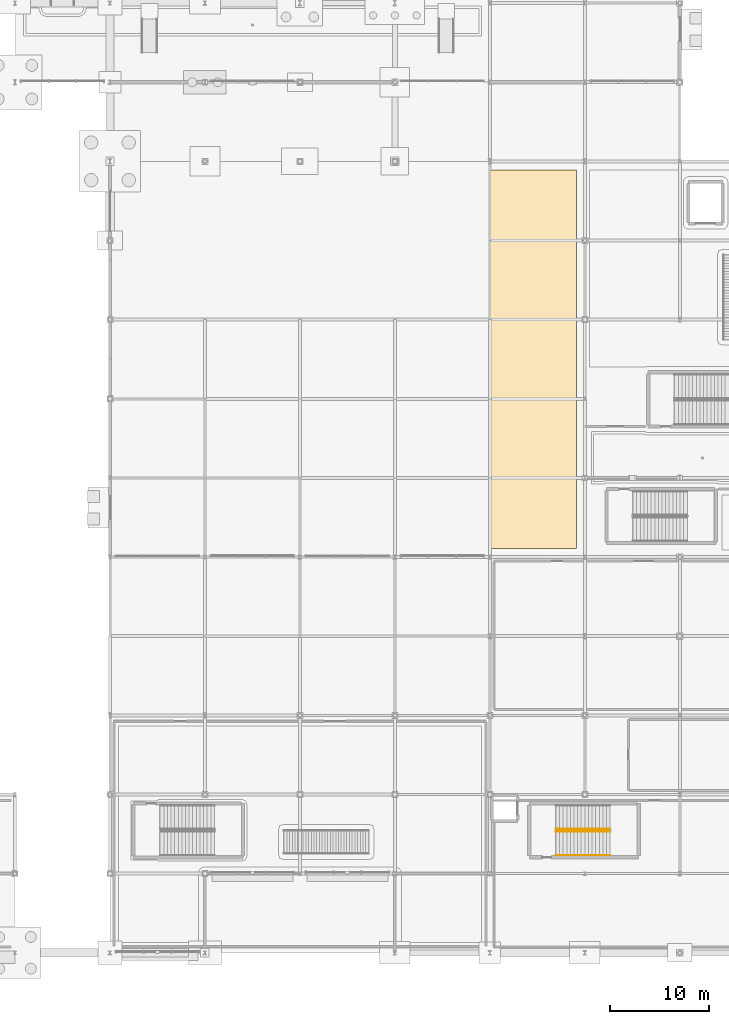
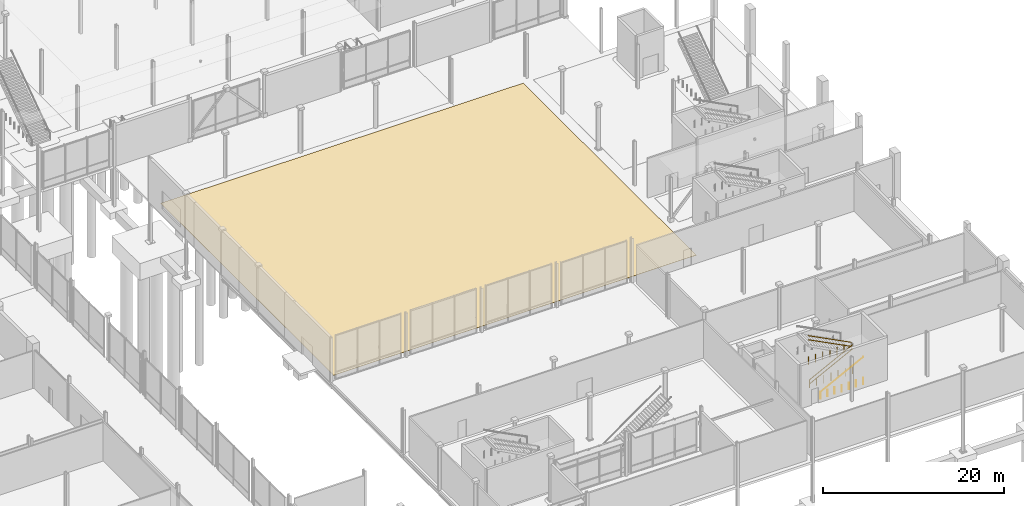
# One storey, part 116 of 124: 3 railings, 1 covering.
"""IFC4 building model written with IfcOpenShell, lengths in metres."""

from ifc_helpers import new_model, si_unit, direction, frame, origin, origin_2d, place, context, subcontext, project, spatial, polyline, circle, outline, extrude, material, layer, layer_set, type_object, element, save


model = new_model("IFC4")

# Units and contexts
model_context = context("Model", 3, precision=1e-05, world=origin(), true_north=direction((0.0, 1.0)))
body_context = subcontext(model_context, "Body", "Model", "MODEL_VIEW")
ifc_project = project(units=[si_unit("LENGTHUNIT", "METRE"), si_unit("AREAUNIT", "SQUARE_METRE"), si_unit("VOLUMEUNIT", "CUBIC_METRE"), si_unit("PLANEANGLEUNIT", "RADIAN"), si_unit("MASSUNIT", "GRAM", prefix="KILO")], contexts=[model_context])

# Site, building, storey
site_placement = place(None, origin())
site = spatial("IfcSite", under=ifc_project, at=site_placement, CompositionType="ELEMENT")
building_placement = place(site_placement, origin())
building = spatial("IfcBuilding", under=site, at=building_placement, Name="Danafjord Basin Convention Centre", CompositionType="ELEMENT")
storey_placement = place(building_placement, origin())
storey = spatial("IfcBuildingStorey", under=building, at=storey_placement, Name="L00", CompositionType="ELEMENT", Elevation=0.0)

# Covering
ifc_material_1 = material(Name="Engineered Nordic white oak parquet")
ifc_layer = layer(ifc_material_1, 0.02490234375)
ifc_layer_set = layer_set([ifc_layer], Name="Engineered Nordic white oak parquet")
covering_type = type_object("IfcCoveringType", Name="COV-FLR-OAK01", PredefinedType="FLOORING", material=ifc_layer_set)
covering_placement = place(storey_placement, origin())
element("IfcCovering", 1, at=covering_placement, inside=storey, type_object=covering_type, Name="Danafjord Grand Banquet Ballroom finish flooring", PredefinedType="FLOORING", context=body_context, shape_type="SweptSolid", body=[
    extrude(outline(polyline([(191.14990234375, 79.14990234375), (191.14990234375, 40.85009765625), (144.85009765625, 40.85009765625), (144.85009765625, 79.14990234375), (191.14990234375, 79.14990234375)])), origin(), (0.0, 0.0, 1.0), 0.02490234375),
])

# Railings
ifc_material_2 = material(Name="Galvanised steel S355", Category="steel")
railing_type_1 = type_object("IfcRailingType", Name="RL-GD-WELL", PredefinedType="BALUSTRADE", material=ifc_material_2)
railing_1_placement = place(storey_placement, frame((189.080078125, 12.260009765625, 0.1875)))
element("IfcRailing", 2, at=railing_1_placement, inside=storey, type_object=railing_type_1, Name="L00 ST-15 stair guard 1", PredefinedType="BALUSTRADE", context=body_context, shape_type="SweptSolid", body=[
    extrude(circle(Radius=0.02392578125, at=origin_2d()), frame((0.0, 0.0, 1.076171875), z_axis=(0.889495128042, 0.0, 0.456944654405), x_axis=(0.0, 1.0, 0.0)), (0.0, 0.0, 1.0), 6.155029296875),
    extrude(circle(Radius=0.02392578125, at=origin_2d()), frame((0.0, 0.0, 0.52587890625), z_axis=(0.889495128042, 0.0, 0.456944654405), x_axis=(0.0, 1.0, 0.0)), (0.0, 0.0, 1.0), 6.155029296875),
    extrude(circle(Radius=0.02099609375, at=origin_2d()), origin(), (0.0, 0.0, 1.0), 1.050048828125),
    extrude(circle(Radius=0.02099609375, at=origin_2d()), frame((0.91259765625, 0.0, 0.0)), (0.0, 0.0, 1.0), 1.050048828125),
    extrude(circle(Radius=0.02099609375, at=origin_2d()), frame((1.824951171875, 0.0, 0.0)), (0.0, 0.0, 1.0), 1.050048828125),
    extrude(circle(Radius=0.02099609375, at=origin_2d()), frame((2.7373046875, 0.0, 0.0)), (0.0, 0.0, 1.0), 1.050048828125),
    extrude(circle(Radius=0.02099609375, at=origin_2d()), frame((3.64990234375, 0.0, 0.0)), (0.0, 0.0, 1.0), 1.050048828125),
    extrude(circle(Radius=0.02099609375, at=origin_2d()), frame((4.5625, 0.0, 0.0)), (0.0, 0.0, 1.0), 1.050048828125),
    extrude(circle(Radius=0.02099609375, at=origin_2d()), frame((5.474853515625, 0.0, 0.0)), (0.0, 0.0, 1.0), 1.050048828125),
])
railing_2_placement = place(storey_placement, frame((194.554931640625, 12.5, 3.1875)))
element("IfcRailing", 3, at=railing_2_placement, inside=storey, type_object=railing_type_1, Name="L00 ST-15 stair guard 3", PredefinedType="BALUSTRADE", context=body_context, shape_type="SweptSolid", body=[
    extrude(circle(Radius=0.02392578125, at=origin_2d()), frame((0.0, 0.0, 1.076171875), z_axis=(-0.889495128042, 0.0, 0.456944654405), x_axis=(0.0, -1.0, 0.0)), (0.0, 0.0, 1.0), 6.155029296875),
    extrude(circle(Radius=0.02392578125, at=origin_2d()), frame((0.0, 0.0, 0.52587890625), z_axis=(-0.889495128042, 0.0, 0.456944654405), x_axis=(0.0, -1.0, 0.0)), (0.0, 0.0, 1.0), 6.155029296875),
    extrude(circle(Radius=0.02099609375, at=origin_2d()), origin(), (0.0, 0.0, 1.0), 1.050048828125),
    extrude(circle(Radius=0.02099609375, at=origin_2d()), frame((-0.91259765625, 0.0, 0.0)), (0.0, 0.0, 1.0), 1.050048828125),
    extrude(circle(Radius=0.02099609375, at=origin_2d()), frame((-1.824951171875, 0.0, 0.0)), (0.0, 0.0, 1.0), 1.050048828125),
    extrude(circle(Radius=0.02099609375, at=origin_2d()), frame((-2.7373046875, 0.0, 0.0)), (0.0, 0.0, 1.0), 1.050048828125),
    extrude(circle(Radius=0.02099609375, at=origin_2d()), frame((-3.64990234375, 0.0, 0.0)), (0.0, 0.0, 1.0), 1.050048828125),
    extrude(circle(Radius=0.02099609375, at=origin_2d()), frame((-4.5625, 0.0, 0.0)), (0.0, 0.0, 1.0), 1.050048828125),
    extrude(circle(Radius=0.02099609375, at=origin_2d()), frame((-5.474853515625, 0.0, 0.0)), (0.0, 0.0, 1.0), 1.050048828125),
])
ifc_material_3 = material(Name="Brushed stainless steel EN 1.4404", Category="steel")
railing_type_2 = type_object("IfcRailingType", Name="RL-HR-STAIR", PredefinedType="HANDRAIL", material=ifc_material_3)
railing_3_placement = place(storey_placement, frame((189.080078125, 9.860107421875, 0.1875)))
element("IfcRailing", 4, at=railing_3_placement, inside=storey, type_object=railing_type_2, Name="L00 ST-15 stair handrail 1", PredefinedType="HANDRAIL", context=body_context, shape_type="SweptSolid", body=[
    extrude(circle(Radius=0.02392578125, at=origin_2d()), frame((0.0, 0.0, 0.8759765625), z_axis=(0.889495128042, 0.0, 0.456944654405), x_axis=(0.0, 1.0, 0.0)), (0.0, 0.0, 1.0), 6.155029296875),
    extrude(circle(Radius=0.02099609375, at=origin_2d()), origin(), (0.0, 0.0, 1.0), 0.849853515625),
    extrude(circle(Radius=0.02099609375, at=origin_2d()), frame((0.91259765625, 0.0, 0.0)), (0.0, 0.0, 1.0), 0.849853515625),
    extrude(circle(Radius=0.02099609375, at=origin_2d()), frame((1.824951171875, 0.0, 0.0)), (0.0, 0.0, 1.0), 0.849853515625),
    extrude(circle(Radius=0.02099609375, at=origin_2d()), frame((2.7373046875, 0.0, 0.0)), (0.0, 0.0, 1.0), 0.849853515625),
    extrude(circle(Radius=0.02099609375, at=origin_2d()), frame((3.64990234375, 0.0, 0.0)), (0.0, 0.0, 1.0), 0.849853515625),
    extrude(circle(Radius=0.02099609375, at=origin_2d()), frame((4.5625, 0.0, 0.0)), (0.0, 0.0, 1.0), 0.849853515625),
    extrude(circle(Radius=0.02099609375, at=origin_2d()), frame((5.474853515625, 0.0, 0.0)), (0.0, 0.0, 1.0), 0.849853515625),
])

save(model, "model.ifc")
